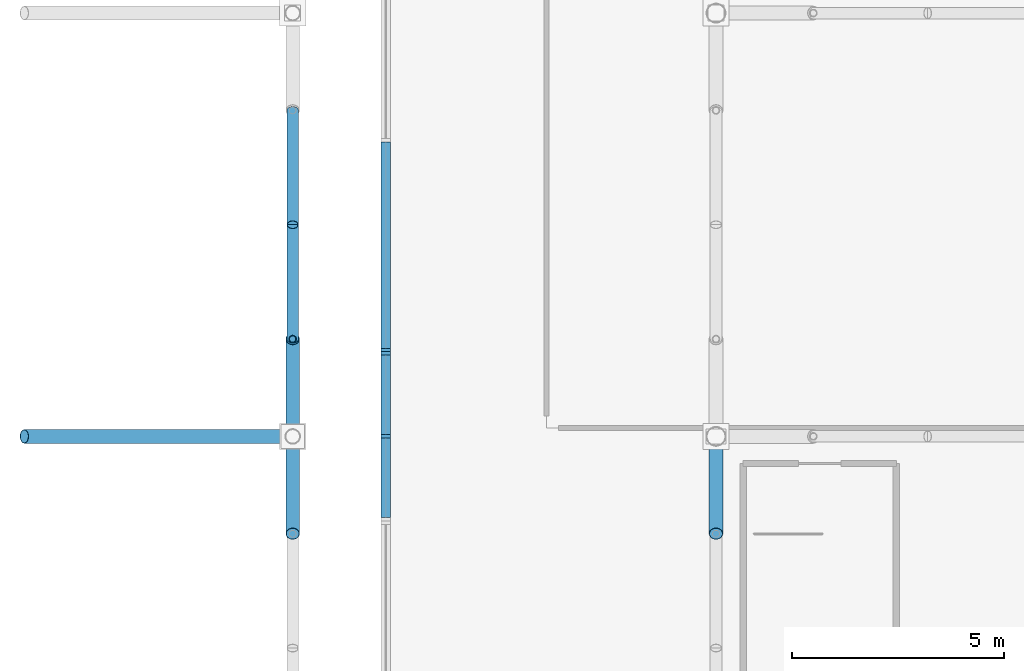
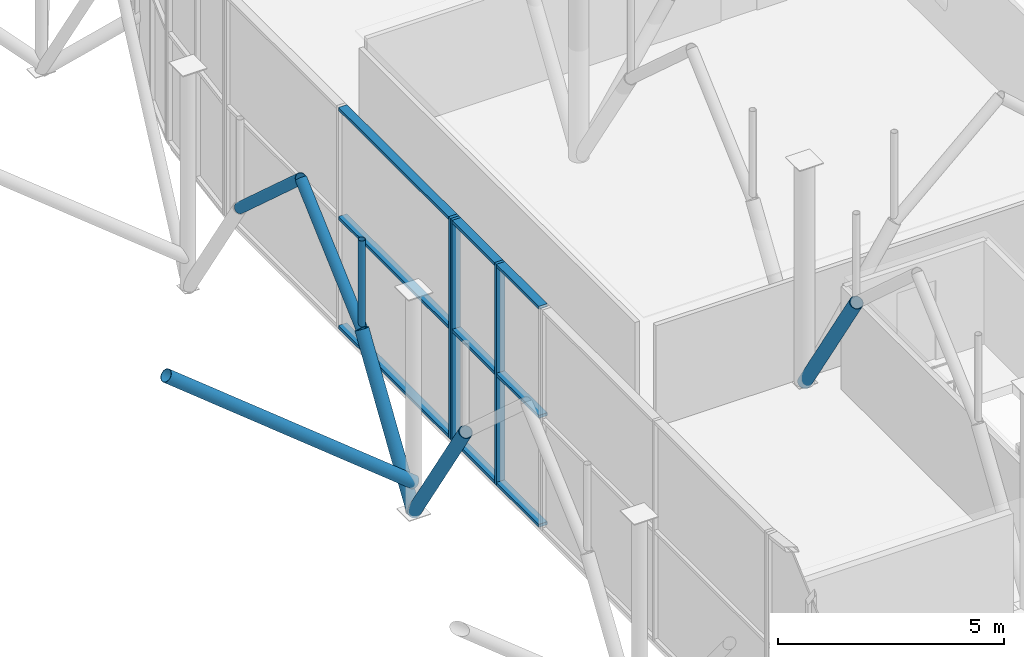
# One storey, part 43 of 109: 19 members, 2 elements without a shape of their own.
"""IFC4 building model written with IfcOpenShell, lengths in metres."""

from ifc_helpers import new_model, si_unit, derived_unit, direction, frame, origin, origin_2d_with_axis, place, context, subcontext, project, spatial, rectangle, hollow_circle, extrude, material, material_profile, profile_set, type_object, element, aggregate, save


model = new_model("IFC4")

# Units and contexts
model_context = context("Model", 3, precision=1e-05, world=origin(), true_north=direction((0.0, 1.0)))
body_context = subcontext(model_context, "Body", "Model", "MODEL_VIEW")
ifc_project = project(units=[si_unit("LENGTHUNIT", "METRE"), si_unit("AREAUNIT", "SQUARE_METRE"), si_unit("VOLUMEUNIT", "CUBIC_METRE"), si_unit("PLANEANGLEUNIT", "RADIAN"), si_unit("MASSUNIT", "GRAM", prefix="KILO"), derived_unit("THERMALTRANSMITTANCEUNIT", [(si_unit("POWERUNIT", "WATT"), 1), (si_unit("LENGTHUNIT", "METRE"), -2), (si_unit("THERMODYNAMICTEMPERATUREUNIT", "KELVIN"), -1)])], contexts=[model_context])

# Site, building, storey
site_placement = place(None, origin())
site = spatial("IfcSite", under=ifc_project, at=site_placement, CompositionType="ELEMENT")
building_placement = place(site_placement, origin())
building = spatial("IfcBuilding", under=site, at=building_placement, Name="Cinnabar Yard Market Hall", CompositionType="ELEMENT")
storey_placement = place(building_placement, frame((0.0, 0.0, 8.39990234375)))
storey = spatial("IfcBuildingStorey", under=building, at=storey_placement, Name="L02", CompositionType="ELEMENT", Elevation=8.39990234375)

# Curtain wall, members
ifc_material_1 = material(Name="Anodised bronze aluminium and low-E glass", Category="aluminium")
curtain_wall_type_1 = type_object("IfcCurtainWallType", Name="CW-CWH040x60", PredefinedType="NOTDEFINED", material=ifc_material_1)
curtain_wall_1_placement = place(storey_placement, origin())
curtain_wall_1 = element("IfcCurtainWall", 1, at=curtain_wall_1_placement, inside=storey, type_object=curtain_wall_type_1, Name="Market Hall West Upper Clerestory WPT", PredefinedType="NOTDEFINED")
ifc_material_2 = material(Name="Anodised bronze aluminium", Category="aluminium")
ifc_material_profile_1 = material_profile(ifc_material_2, rectangle(XDim=0.219970703125, YDim=0.080078125, at=origin_2d_with_axis()), Name="MUL-CWH")
ifc_profile_set_1 = profile_set([ifc_material_profile_1], Name="Anodised bronze aluminium")
member_type_1 = type_object("IfcMemberType", Name="CWM-CWH", PredefinedType="MULLION", material=ifc_profile_set_1)
member_1_placement = place(storey_placement, frame((68.199951171875, 45.9599609375, 0.0), z_axis=(0.0, 0.0, 1.0), x_axis=(1.0, 0.0, 0.0)))
member_1 = element("IfcMember", 2, at=member_1_placement, type_object=member_type_1, Name="CWH040x60 mullion 1", PredefinedType="MULLION", context=body_context, shape_type="SweptSolid", body=[
    extrude(rectangle(XDim=0.219970703125, YDim=0.080078125, at=origin_2d_with_axis()), origin(), (0.0, 0.0, 1.0), 5.97998046875),
])
member_2_placement = place(storey_placement, frame((68.199951171875, 44.0, 0.0), z_axis=(0.0, 0.0, 1.0), x_axis=(1.0, 0.0, 0.0)))
member_2 = element("IfcMember", 3, at=member_2_placement, type_object=member_type_1, Name="CWH040x60 mullion 2", PredefinedType="MULLION", context=body_context, shape_type="SweptSolid", body=[
    extrude(rectangle(XDim=0.219970703125, YDim=0.080078125, at=origin_2d_with_axis()), origin(), (0.0, 0.0, 1.0), 5.97998046875),
])

# Curtain wall, member
curtain_wall_type_2 = type_object("IfcCurtainWallType", Name="CW-CWH100x60", PredefinedType="NOTDEFINED", material=ifc_material_1)
curtain_wall_2_placement = place(storey_placement, origin())
curtain_wall_2 = element("IfcCurtainWall", 4, at=curtain_wall_2_placement, inside=storey, type_object=curtain_wall_type_2, Name="Market Hall West Upper Clerestory W2", PredefinedType="NOTDEFINED")
member_3_placement = place(storey_placement, frame((68.199951171875, 46.0400390625, 0.0), z_axis=(0.0, 0.0, 1.0), x_axis=(1.0, 0.0, 0.0)))
member_3 = element("IfcMember", 5, at=member_3_placement, type_object=member_type_1, Name="CWH100x60 mullion 3", PredefinedType="MULLION", context=body_context, shape_type="SweptSolid", body=[
    extrude(rectangle(XDim=0.219970703125, YDim=0.080078125, at=origin_2d_with_axis()), origin(), (0.0, 0.0, 1.0), 5.97998046875),
])

# Member
ifc_material_profile_2 = material_profile(ifc_material_2, rectangle(XDim=0.219970703125, YDim=0.080078125, at=origin_2d_with_axis()), Name="TRN-CWH")
ifc_profile_set_2 = profile_set([ifc_material_profile_2], Name="Anodised bronze aluminium")
member_type_2 = type_object("IfcMemberType", Name="CWT-CWH", PredefinedType="USERDEFINED", material=ifc_profile_set_2)
member_4_placement = place(storey_placement, frame((68.199951171875, 45.919921875, 0.0400390625), z_axis=(0.0, -1.0, 0.0), x_axis=(1.0, 0.0, 0.0)))
member_4 = element("IfcMember", 6, at=member_4_placement, type_object=member_type_2, Name="CWH040x60 transom 1.1", ObjectType="TRANSOM", PredefinedType="USERDEFINED", context=body_context, shape_type="SweptSolid", body=[
    extrude(rectangle(XDim=0.219970703125, YDim=0.080078125, at=origin_2d_with_axis()), origin(), (0.0, 0.0, 1.0), 1.8798828125),
])

member_5_placement = place(storey_placement, frame((68.199951171875, 45.919921875, 2.989990234375), z_axis=(0.0, -1.0, 0.0), x_axis=(1.0, 0.0, 0.0)))
member_5 = element("IfcMember", 7, at=member_5_placement, type_object=member_type_2, Name="CWH040x60 transom 1.2", ObjectType="TRANSOM", PredefinedType="USERDEFINED", context=body_context, shape_type="SweptSolid", body=[
    extrude(rectangle(XDim=0.219970703125, YDim=0.080078125, at=origin_2d_with_axis()), origin(), (0.0, 0.0, 1.0), 1.8798828125),
])

member_6_placement = place(storey_placement, frame((68.199951171875, 45.919921875, 5.940185546875), z_axis=(0.0, -1.0, 0.0), x_axis=(1.0, 0.0, 0.0)))
member_6 = element("IfcMember", 8, at=member_6_placement, type_object=member_type_2, Name="CWH040x60 transom 1.3", ObjectType="TRANSOM", PredefinedType="USERDEFINED", context=body_context, shape_type="SweptSolid", body=[
    extrude(rectangle(XDim=0.219970703125, YDim=0.080078125, at=origin_2d_with_axis()), origin(), (0.0, 0.0, 1.0), 1.8798828125),
])

member_7_placement = place(storey_placement, frame((68.199951171875, 43.9599609375, 0.0400390625), z_axis=(0.0, -1.0, 0.0), x_axis=(1.0, 0.0, 0.0)))
member_7 = element("IfcMember", 9, at=member_7_placement, type_object=member_type_2, Name="CWH040x60 transom 2.1", ObjectType="TRANSOM", PredefinedType="USERDEFINED", context=body_context, shape_type="SweptSolid", body=[
    extrude(rectangle(XDim=0.219970703125, YDim=0.080078125, at=origin_2d_with_axis()), origin(), (0.0, 0.0, 1.0), 1.8798828125),
])

member_8_placement = place(storey_placement, frame((68.199951171875, 43.9599609375, 2.989990234375), z_axis=(0.0, -1.0, 0.0), x_axis=(1.0, 0.0, 0.0)))
member_8 = element("IfcMember", 10, at=member_8_placement, type_object=member_type_2, Name="CWH040x60 transom 2.2", ObjectType="TRANSOM", PredefinedType="USERDEFINED", context=body_context, shape_type="SweptSolid", body=[
    extrude(rectangle(XDim=0.219970703125, YDim=0.080078125, at=origin_2d_with_axis()), origin(), (0.0, 0.0, 1.0), 1.8798828125),
])

member_9_placement = place(storey_placement, frame((68.199951171875, 43.9599609375, 5.940185546875), z_axis=(0.0, -1.0, 0.0), x_axis=(1.0, 0.0, 0.0)))
member_9 = element("IfcMember", 11, at=member_9_placement, type_object=member_type_2, Name="CWH040x60 transom 2.3", ObjectType="TRANSOM", PredefinedType="USERDEFINED", context=body_context, shape_type="SweptSolid", body=[
    extrude(rectangle(XDim=0.219970703125, YDim=0.080078125, at=origin_2d_with_axis()), origin(), (0.0, 0.0, 1.0), 1.8798828125),
])

aggregate(curtain_wall_1, [member_1, member_2, member_4, member_5, member_6, member_7, member_8, member_9])

member_10_placement = place(storey_placement, frame((68.199951171875, 50.9599609375, 0.0400390625), z_axis=(0.0, -1.0, 0.0), x_axis=(1.0, 0.0, 0.0)))
member_10 = element("IfcMember", 12, at=member_10_placement, type_object=member_type_2, Name="CWH100x60 transom 2.1", ObjectType="TRANSOM", PredefinedType="USERDEFINED", context=body_context, shape_type="SweptSolid", body=[
    extrude(rectangle(XDim=0.219970703125, YDim=0.080078125, at=origin_2d_with_axis()), origin(), (0.0, 0.0, 1.0), 4.8798828125),
])

member_11_placement = place(storey_placement, frame((68.199951171875, 50.9599609375, 2.989990234375), z_axis=(0.0, -1.0, 0.0), x_axis=(1.0, 0.0, 0.0)))
member_11 = element("IfcMember", 13, at=member_11_placement, type_object=member_type_2, Name="CWH100x60 transom 2.2", ObjectType="TRANSOM", PredefinedType="USERDEFINED", context=body_context, shape_type="SweptSolid", body=[
    extrude(rectangle(XDim=0.219970703125, YDim=0.080078125, at=origin_2d_with_axis()), origin(), (0.0, 0.0, 1.0), 4.8798828125),
])

member_12_placement = place(storey_placement, frame((68.199951171875, 50.9599609375, 5.940185546875), z_axis=(0.0, -1.0, 0.0), x_axis=(1.0, 0.0, 0.0)))
member_12 = element("IfcMember", 14, at=member_12_placement, type_object=member_type_2, Name="CWH100x60 transom 2.3", ObjectType="TRANSOM", PredefinedType="USERDEFINED", context=body_context, shape_type="SweptSolid", body=[
    extrude(rectangle(XDim=0.219970703125, YDim=0.080078125, at=origin_2d_with_axis()), origin(), (0.0, 0.0, 1.0), 4.8798828125),
])

aggregate(curtain_wall_2, [member_3, member_10, member_11, member_12])

# Members
ifc_material_3 = material(Name="Spotted-gum glulam-clad steel Grade 350 (350 MPa)", Category="steel")
ifc_material_profile_3 = material_profile(ifc_material_3, hollow_circle(Radius=0.136474609375, WallThickness=0.00927734375, at=origin_2d_with_axis()), Name="273.1x9.3CHS")
ifc_profile_set_3 = profile_set([ifc_material_profile_3], Name="Spotted-gum glulam-clad steel Grade 350 (350 MPa)")
member_type_3 = type_object("IfcMemberType", Name="MB-AR01E", PredefinedType="USERDEFINED", material=ifc_profile_set_3)
for number, where, z_axis, x_axis, name in (
    (15, (66.0, 46.300048828125, 3.550048828125), (0.0, 0.743297488271, 0.668961018244), (-1.0, 0.0, 0.0), "Pointed Arch Rib 0171"),
    (16, (66.0, 51.699951171875, 3.550048828125), (0.0, -0.743297488271, 0.668961018244), (1.0, 0.0, 0.0), "Pointed Arch Rib 0175"),
):
    element("IfcMember", number, at=place(storey_placement, frame(where, z_axis=z_axis, x_axis=x_axis)), inside=storey, type_object=member_type_3, Name=name, ObjectType="ARCH RIB", PredefinedType="USERDEFINED", context=body_context, shape_type="SweptSolid", body=[
        extrude(hollow_circle(Radius=0.136474609375, WallThickness=0.00927734375, at=origin_2d_with_axis()), origin(), (0.0, 0.0, 1.0), 3.63232421875),
    ])
ifc_material_profile_4 = material_profile(ifc_material_3, hollow_circle(Radius=0.161865234375, WallThickness=0.009521484375, at=origin_2d_with_axis()), Name="323.9x9.5CHS")
ifc_profile_set_4 = profile_set([ifc_material_profile_4], Name="Spotted-gum glulam-clad steel Grade 350 (350 MPa)")
member_type_4 = type_object("IfcMemberType", Name="MB-ST01", PredefinedType="STRUT", material=ifc_profile_set_4)
member_13_placement = place(storey_placement, frame((76.0, 44.0, 0.0), z_axis=(0.0, -0.543744165176, 0.839251024925), x_axis=(1.0, 0.0, 0.0)))
element("IfcMember", 17, at=member_13_placement, inside=storey, type_object=member_type_4, Name="Curved Branch Arm Lower 0008", PredefinedType="STRUT", context=body_context, shape_type="SweptSolid", body=[
    extrude(hollow_circle(Radius=0.161865234375, WallThickness=0.009521484375, at=origin_2d_with_axis()), origin(), (0.0, 0.0, 1.0), 4.22998046875),
])
ifc_material_profile_5 = material_profile(ifc_material_3, hollow_circle(Radius=0.161865234375, WallThickness=0.009521484375, at=origin_2d_with_axis()), Name="323.9x9.5CHS")
ifc_profile_set_5 = profile_set([ifc_material_profile_5], Name="Spotted-gum glulam-clad steel Grade 350 (350 MPa)")
member_type_5 = type_object("IfcMemberType", Name="MB-ST01E", PredefinedType="STRUT", material=ifc_profile_set_5)
for number, where, z_axis, x_axis, name in (
    (18, (66.0, 44.0, 0.0), (0.0, 0.543744165176, 0.839251024925), (-1.0, 0.0, 0.0), "Curved Branch Arm Lower 0171"),
    (19, (66.0, 44.0, 0.0), (0.0, -0.543744165176, 0.839251024925), (1.0, 0.0, 0.0), "Curved Branch Arm Lower 0172"),
):
    element("IfcMember", number, at=place(storey_placement, frame(where, z_axis=z_axis, x_axis=x_axis)), inside=storey, type_object=member_type_5, Name=name, PredefinedType="STRUT", context=body_context, shape_type="SweptSolid", body=[
        extrude(hollow_circle(Radius=0.161865234375, WallThickness=0.009521484375, at=origin_2d_with_axis()), origin(), (0.0, 0.0, 1.0), 4.22998046875),
    ])
member_14_placement = place(storey_placement, frame((66.0, 44.0, 0.800048828125), z_axis=(-0.779185735248, 0.0, 0.626793099824), x_axis=(0.0, -1.0, 0.0)))
element("IfcMember", 20, at=member_14_placement, inside=storey, type_object=member_type_5, Name="West Chhajja Bracket Arm 44", PredefinedType="STRUT", context=body_context, shape_type="SweptSolid", body=[
    extrude(hollow_circle(Radius=0.161865234375, WallThickness=0.009521484375, at=origin_2d_with_axis()), origin(), (0.0, 0.0, 1.0), 8.13671875),
])
ifc_material_4 = material(Name="Cold-formed steel C350L0", Category="steel")
ifc_material_profile_6 = material_profile(ifc_material_4, hollow_circle(Radius=0.084228515625, WallThickness=0.00634765625, at=origin_2d_with_axis()), Name="168.3x6.4CHS")
ifc_profile_set_6 = profile_set([ifc_material_profile_6], Name="Cold-formed steel C350L0")
member_type_6 = type_object("IfcMemberType", Name="MB-WB01E", PredefinedType="STRUT", material=ifc_profile_set_6)
member_15_placement = place(storey_placement, frame((66.0, 46.300048828125, 3.550048828125), z_axis=(0.0, 0.0, 1.0), x_axis=(1.0, 0.0, 0.0)))
element("IfcMember", 21, at=member_15_placement, inside=storey, type_object=member_type_6, Name="Arch Spandrel Post 0171", PredefinedType="STRUT", context=body_context, shape_type="SweptSolid", body=[
    extrude(hollow_circle(Radius=0.084228515625, WallThickness=0.00634765625, at=origin_2d_with_axis()), origin(), (0.0, 0.0, 1.0), 2.429931640625),
])

save(model, "model.ifc")
